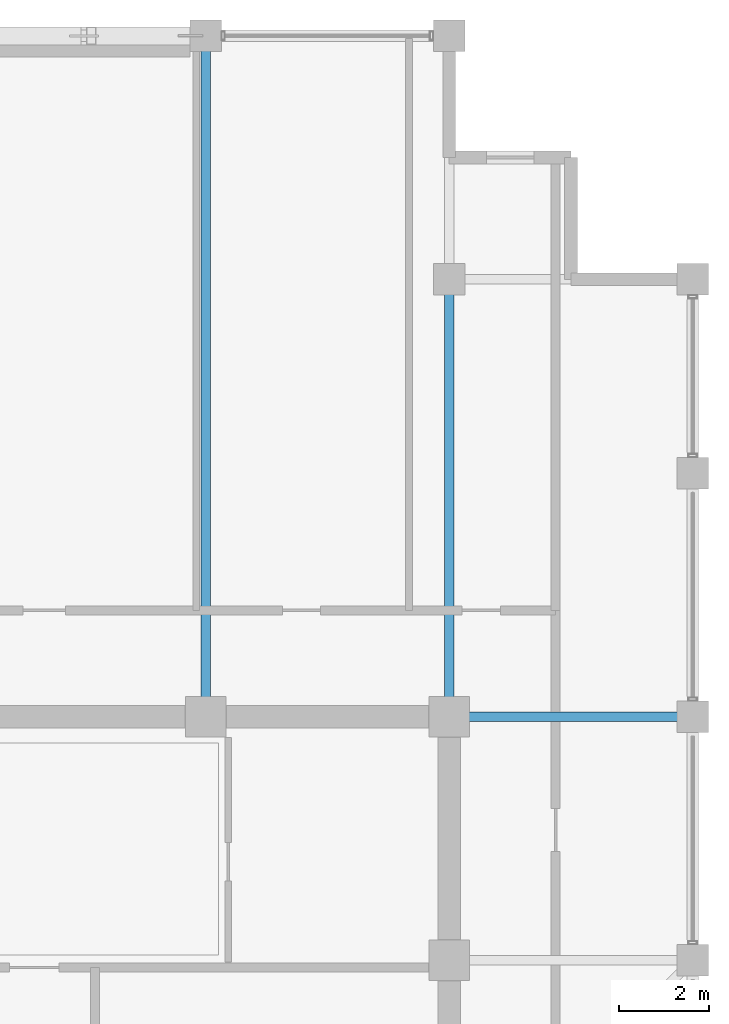
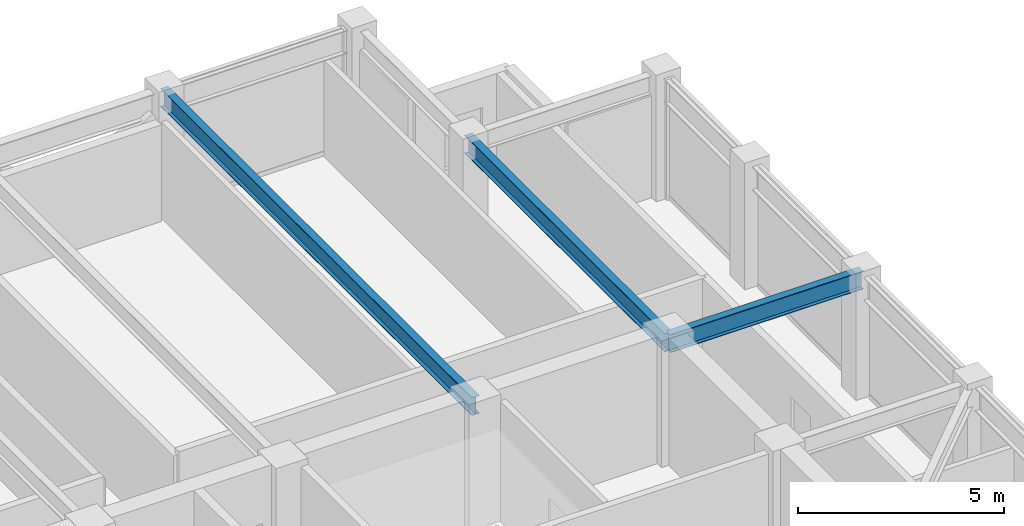
# One storey, part 20 of 31: 3 beams.
"""IFC4 building model written with IfcOpenShell, lengths in metres."""

from ifc_helpers import new_model, si_unit, direction, frame, origin, origin_2d, place, context, subcontext, project, spatial, i_section, extrude, material, material_profile, profile_set, type_object, element, save


model = new_model("IFC4")

# Units and contexts
model_context = context("Model", 3, precision=1e-05, world=origin(), true_north=direction((0.0, 1.0)))
body_context = subcontext(model_context, "Body", "Model", "MODEL_VIEW")
ifc_project = project(units=[si_unit("LENGTHUNIT", "METRE"), si_unit("AREAUNIT", "SQUARE_METRE"), si_unit("VOLUMEUNIT", "CUBIC_METRE"), si_unit("PLANEANGLEUNIT", "RADIAN"), si_unit("MASSUNIT", "GRAM", prefix="KILO")], contexts=[model_context])

# Site, building, storey
site_placement = place(None, origin())
site = spatial("IfcSite", under=ifc_project, at=site_placement, CompositionType="ELEMENT")
building_placement = place(site_placement, origin())
building = spatial("IfcBuilding", under=site, at=building_placement, Name="Surkhivell Harbour Commons", CompositionType="ELEMENT")
storey_placement = place(building_placement, frame((0.0, 0.0, 288.75)))
storey = spatial("IfcBuildingStorey", under=building, at=storey_placement, Name="L75", CompositionType="ELEMENT", Elevation=288.75)

# Beams
ifc_material = material(Name="Steel S355", Category="steel")
ifc_material_profile = material_profile(ifc_material, i_section(OverallWidth=0.2099609375, OverallDepth=0.537109375, WebThickness=0.0107421875, FlangeThickness=0.017333984375, at=origin_2d()), Name="UB533x210x101")
ifc_profile_set = profile_set([ifc_material_profile], Name="Steel S355")
beam_type = type_object("IfcBeamType", Name="BM-GRD-533B", PredefinedType="BEAM", material=ifc_profile_set)
beam_1_placement = place(storey_placement, frame((5.39990234375, 10.800048828125, 3.301513671875), z_axis=(0.0, 1.0, 0.0), x_axis=(-1.0, 0.0, 0.0)))
element("IfcBeam", 1, at=beam_1_placement, inside=storey, type_object=beam_type, Name="L75 Floor Girder (5.4,10.8)", PredefinedType="BEAM", context=body_context, shape_type="SweptSolid", body=[
    extrude(i_section(OverallWidth=0.2099609375, OverallDepth=0.537109375, WebThickness=0.0107421875, FlangeThickness=0.017333984375, at=origin_2d()), origin(), (0.0, 0.0, 1.0), 15.099853515625),
])
beam_2_placement = place(storey_placement, frame((10.800048828125, 10.800048828125, 3.301513671875), z_axis=(0.0, 1.0, 0.0), x_axis=(-1.0, 0.0, 0.0)))
element("IfcBeam", 2, at=beam_2_placement, inside=storey, type_object=beam_type, Name="L75 Floor Girder (10.8,10.8)", PredefinedType="BEAM", context=body_context, shape_type="SweptSolid", body=[
    extrude(i_section(OverallWidth=0.2099609375, OverallDepth=0.537109375, WebThickness=0.0107421875, FlangeThickness=0.017333984375, at=origin_2d()), origin(), (0.0, 0.0, 1.0), 9.699951171875),
])
beam_3_placement = place(storey_placement, frame((10.800048828125, 10.800048828125, 3.301513671875), z_axis=(1.0, 0.0, 0.0), x_axis=(0.0, 1.0, 0.0)))
element("IfcBeam", 3, at=beam_3_placement, inside=storey, type_object=beam_type, Name="L75 Floor Girder (10.8,10.8)", PredefinedType="BEAM", context=body_context, shape_type="SweptSolid", body=[
    extrude(i_section(OverallWidth=0.2099609375, OverallDepth=0.537109375, WebThickness=0.0107421875, FlangeThickness=0.017333984375, at=origin_2d()), origin(), (0.0, 0.0, 1.0), 5.39990234375),
])

save(model, "model.ifc")
